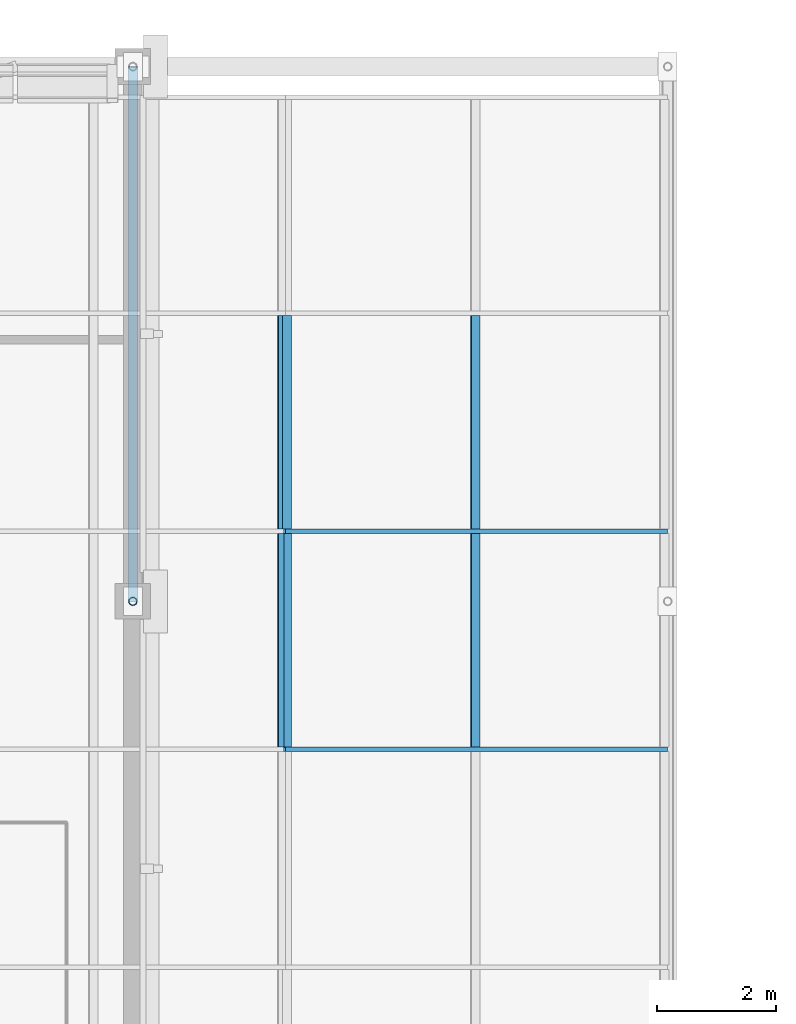
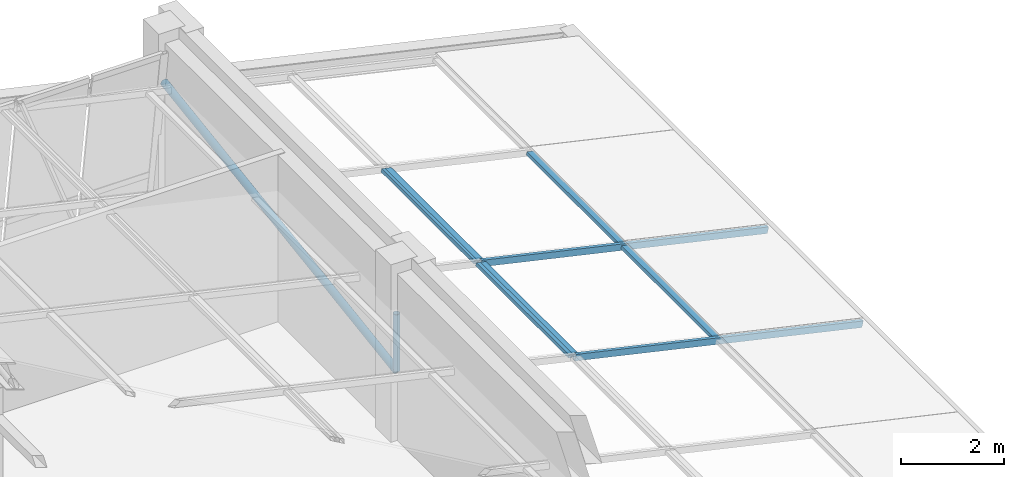
# One storey, part 97 of 130: 10 members, 2 elements without a shape of their own.
"""IFC4 building model written with IfcOpenShell, lengths in metres."""

from ifc_helpers import new_model, si_unit, direction, frame, origin, origin_2d, place, context, subcontext, project, spatial, hollow_rectangle, hollow_circle, extrude, material, material_profile, profile_set, type_object, element, aggregate, save


model = new_model("IFC4")

# Units and contexts
model_context = context("Model", 3, precision=1e-05, world=origin(), true_north=direction((0.0, 1.0)))
body_context = subcontext(model_context, "Body", "Model", "MODEL_VIEW")
ifc_project = project(units=[si_unit("LENGTHUNIT", "METRE"), si_unit("AREAUNIT", "SQUARE_METRE"), si_unit("VOLUMEUNIT", "CUBIC_METRE"), si_unit("PLANEANGLEUNIT", "RADIAN"), si_unit("MASSUNIT", "GRAM", prefix="KILO")], contexts=[model_context])

# Site, building, storey
site_placement = place(None, origin())
site = spatial("IfcSite", under=ifc_project, at=site_placement, CompositionType="ELEMENT")
building_placement = place(site_placement, origin())
building = spatial("IfcBuilding", under=site, at=building_placement, Name="Lykobir Media Centre", CompositionType="ELEMENT")
storey_placement = place(building_placement, frame((0.0, 0.0, 19.199951171875)))
storey = spatial("IfcBuildingStorey", under=building, at=storey_placement, Name="L04", CompositionType="ELEMENT", Elevation=19.199951171875)

# Members
ifc_material_1 = material(Name="Steel S355", Category="steel")
ifc_material_profile_1 = material_profile(ifc_material_1, hollow_circle(Radius=0.06982421875, WallThickness=0.008056640625, at=origin_2d()), Name="CHS 139.7x8.0")
ifc_profile_set_1 = profile_set([ifc_material_profile_1], Name="Steel S355")
member_type_1 = type_object("IfcMemberType", Name="BR-CHS140", PredefinedType="BRACE", material=ifc_profile_set_1)
member_1_placement = place(storey_placement, frame((72.0, 99.0, 2.780029296875), z_axis=(0.0, 0.0, -1.0), x_axis=(1.0, 0.0, 0.0)))
element("IfcMember", 1, at=member_1_placement, inside=storey, type_object=member_type_1, Name="Diagonal brace MEM2-L04-0720-0990-0220-0720-0990-0493", PredefinedType="BRACE", context=body_context, shape_type="SweptSolid", body=[
    extrude(hollow_circle(Radius=0.06982421875, WallThickness=0.008056640625, at=origin_2d()), origin(), (0.0, 0.0, 1.0), 1.35009765625),
])
ifc_material_profile_2 = material_profile(ifc_material_1, hollow_circle(Radius=0.084228515625, WallThickness=0.010009765625, at=origin_2d()), Name="CHS 168.3x10.0")
ifc_profile_set_2 = profile_set([ifc_material_profile_2], Name="Steel S355")
member_type_2 = type_object("IfcMemberType", Name="BR-CHS168", PredefinedType="BRACE", material=ifc_profile_set_2)
member_2_placement = place(storey_placement, frame((72.0, 99.0, 1.429931640625), z_axis=(0.0, 0.988934778637, 0.148350947425), x_axis=(-1.0, 0.0, 0.0)))
element("IfcMember", 2, at=member_2_placement, inside=storey, type_object=member_type_2, Name="Diagonal brace MEM2-L04-0720-0990-0206-0720-1080-0494", PredefinedType="BRACE", context=body_context, shape_type="SweptSolid", body=[
    extrude(hollow_circle(Radius=0.084228515625, WallThickness=0.010009765625, at=origin_2d()), origin(), (0.0, 0.0, 1.0), 9.1005859375),
])

# Curtain wall, members
ifc_material_2 = material(Name="Anodized Aluminium AW-6060", Category="aluminium")
curtain_wall_type = type_object("IfcCurtainWallType", Name="CW-V6-SKY", PredefinedType="NOTDEFINED", material=ifc_material_2)
curtain_wall_1_placement = place(storey_placement, origin())
curtain_wall_1 = element("IfcCurtainWall", 3, at=curtain_wall_1_placement, inside=storey, type_object=curtain_wall_type, Name="Curtain wall CW-V6-SKY01", PredefinedType="NOTDEFINED")
ifc_material_profile_3 = material_profile(ifc_material_2, hollow_rectangle(XDim=0.074951171875, YDim=0.14990234375, WallThickness=0.00341796875, at=origin_2d()), Name="ALU TRANSOM 75x150")
ifc_profile_set_3 = profile_set([ifc_material_profile_3], Name="Anodized Aluminium AW-6060")
member_type_3 = type_object("IfcMemberType", Name="CWT-150", PredefinedType="USERDEFINED", material=ifc_profile_set_3)
member_3_placement = place(storey_placement, frame((80.977783203125, 100.179931640625, 0.901611328125), z_axis=(-0.97526330388, 0.0, 0.221046348318), x_axis=(0.0, -1.0, 0.0)))
member_3 = element("IfcMember", 4, at=member_3_placement, type_object=member_type_3, Name="CW-V6-SKY01 rafter transom 3", ObjectType="TRANSOM", PredefinedType="USERDEFINED", context=body_context, shape_type="SweptSolid", body=[
    extrude(hollow_rectangle(XDim=0.074951171875, YDim=0.14990234375, WallThickness=0.00341796875, at=origin_2d()), origin(), (0.0, 0.0, 1.0), 6.591552734375),
])
member_4_placement = place(storey_placement, frame((80.977783203125, 96.510009765625, 0.901611328125), z_axis=(-0.97526330388, 0.0, 0.221046348318), x_axis=(0.0, -1.0, 0.0)))
member_4 = element("IfcMember", 5, at=member_4_placement, type_object=member_type_3, Name="CW-V6-SKY01 rafter transom 4", ObjectType="TRANSOM", PredefinedType="USERDEFINED", context=body_context, shape_type="SweptSolid", body=[
    extrude(hollow_rectangle(XDim=0.074951171875, YDim=0.14990234375, WallThickness=0.00341796875, at=origin_2d()), origin(), (0.0, 0.0, 1.0), 6.591552734375),
])
member_5_placement = place(storey_placement, frame((77.763427734375, 103.8125, 1.630126953125), z_axis=(0.0, -1.0, 0.0), x_axis=(0.221054901821, 0.0, 0.975261365164)))
member_5 = element("IfcMember", 6, at=member_5_placement, type_object=member_type_3, Name="CW-V6-SKY01 transom 2.2", ObjectType="TRANSOM", PredefinedType="USERDEFINED", context=body_context, shape_type="SweptSolid", body=[
    extrude(hollow_rectangle(XDim=0.074951171875, YDim=0.14990234375, WallThickness=0.00341796875, at=origin_2d()), origin(), (0.0, 0.0, 1.0), 3.594970703125),
])
member_6_placement = place(storey_placement, frame((74.585693359375, 103.8125, 2.350341796875), z_axis=(0.0, -1.0, 0.0), x_axis=(0.221054901821, 0.0, 0.975261365164)))
member_6 = element("IfcMember", 7, at=member_6_placement, type_object=member_type_3, Name="CW-V6-SKY01 transom 2.3", ObjectType="TRANSOM", PredefinedType="USERDEFINED", context=body_context, shape_type="SweptSolid", body=[
    extrude(hollow_rectangle(XDim=0.074951171875, YDim=0.14990234375, WallThickness=0.00341796875, at=origin_2d()), origin(), (0.0, 0.0, 1.0), 3.594970703125),
])
member_7_placement = place(storey_placement, frame((77.763427734375, 100.142578125, 1.630126953125), z_axis=(0.0, -1.0, 0.0), x_axis=(0.221054901821, 0.0, 0.975261365164)))
member_7 = element("IfcMember", 8, at=member_7_placement, type_object=member_type_3, Name="CW-V6-SKY01 transom 3.2", ObjectType="TRANSOM", PredefinedType="USERDEFINED", context=body_context, shape_type="SweptSolid", body=[
    extrude(hollow_rectangle(XDim=0.074951171875, YDim=0.14990234375, WallThickness=0.00341796875, at=origin_2d()), origin(), (0.0, 0.0, 1.0), 3.594970703125),
])
member_8_placement = place(storey_placement, frame((74.585693359375, 100.142578125, 2.350341796875), z_axis=(0.0, -1.0, 0.0), x_axis=(0.221054901821, 0.0, 0.975261365164)))
member_8 = element("IfcMember", 9, at=member_8_placement, type_object=member_type_3, Name="CW-V6-SKY01 transom 3.3", ObjectType="TRANSOM", PredefinedType="USERDEFINED", context=body_context, shape_type="SweptSolid", body=[
    extrude(hollow_rectangle(XDim=0.074951171875, YDim=0.14990234375, WallThickness=0.00341796875, at=origin_2d()), origin(), (0.0, 0.0, 1.0), 3.594970703125),
])
aggregate(curtain_wall_1, [member_3, member_4, member_5, member_6, member_7, member_8])

curtain_wall_2_placement = place(storey_placement, origin())
curtain_wall_2 = element("IfcCurtainWall", 10, at=curtain_wall_2_placement, inside=storey, type_object=curtain_wall_type, Name="Curtain wall CW-V6-SKY02", PredefinedType="NOTDEFINED")
member_9_placement = place(storey_placement, frame((74.512451171875, 103.8125, 2.366943359375), z_axis=(0.0, -1.0, 0.0), x_axis=(0.221071923309, 0.0, 0.975257506879)))
member_9 = element("IfcMember", 11, at=member_9_placement, type_object=member_type_3, Name="CW-V6-SKY02 transom 2.1", ObjectType="TRANSOM", PredefinedType="USERDEFINED", context=body_context, shape_type="SweptSolid", body=[
    extrude(hollow_rectangle(XDim=0.074951171875, YDim=0.14990234375, WallThickness=0.00341796875, at=origin_2d()), origin(), (0.0, 0.0, 1.0), 3.594970703125),
])
member_10_placement = place(storey_placement, frame((74.512451171875, 100.142578125, 2.366943359375), z_axis=(0.0, -1.0, 0.0), x_axis=(0.221071923309, 0.0, 0.975257506879)))
member_10 = element("IfcMember", 12, at=member_10_placement, type_object=member_type_3, Name="CW-V6-SKY02 transom 3.1", ObjectType="TRANSOM", PredefinedType="USERDEFINED", context=body_context, shape_type="SweptSolid", body=[
    extrude(hollow_rectangle(XDim=0.074951171875, YDim=0.14990234375, WallThickness=0.00341796875, at=origin_2d()), origin(), (0.0, 0.0, 1.0), 3.594970703125),
])
aggregate(curtain_wall_2, [member_9, member_10])

save(model, "model.ifc")
